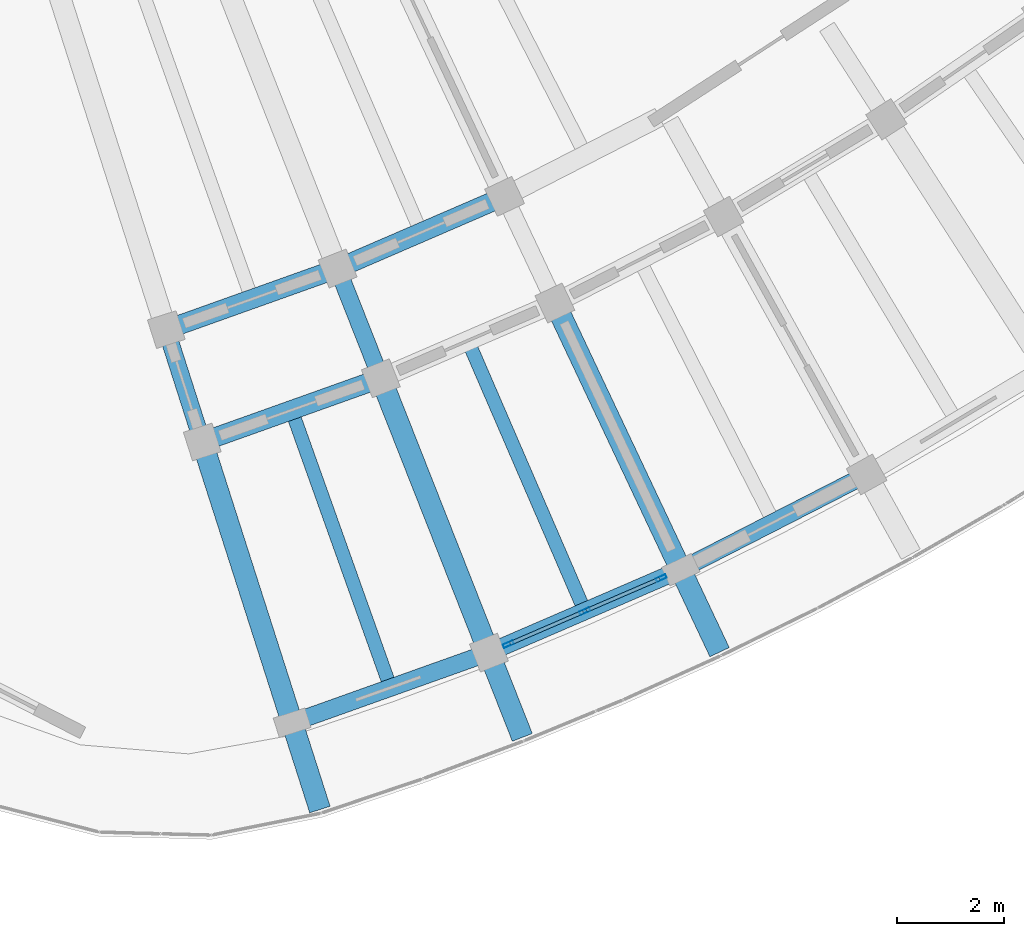
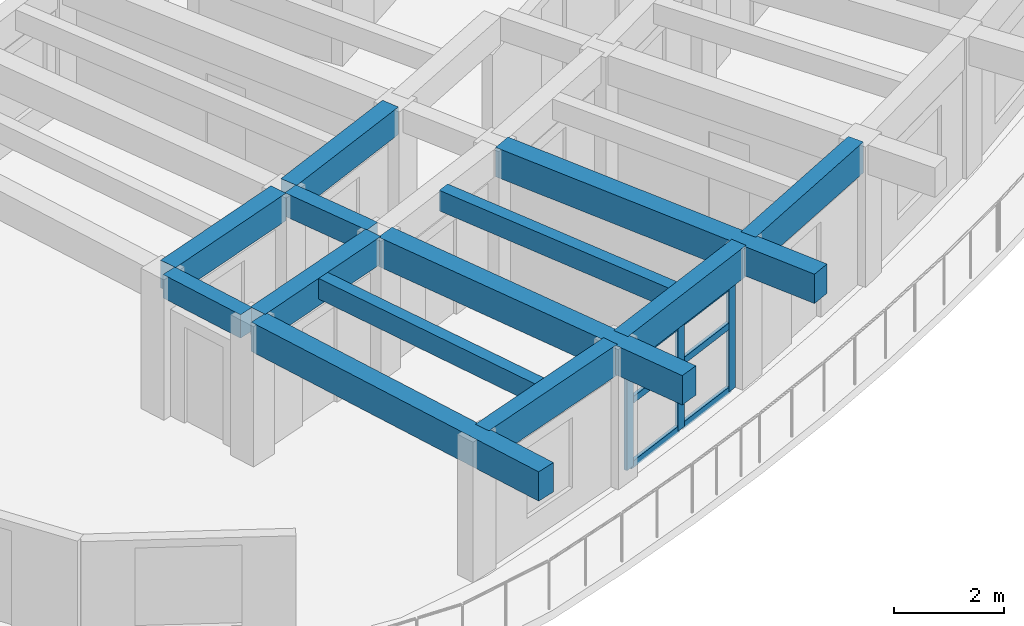
# One storey, part 18 of 81: 13 beams, 9 members, 1 element without a shape of its own.
"""IFC4 building model written with IfcOpenShell, lengths in metres."""

from ifc_helpers import new_model, si_unit, direction, frame, origin, origin_2d, place, context, subcontext, project, spatial, rectangle, hollow_rectangle, extrude, material, material_profile, profile_set, type_object, element, aggregate, save


model = new_model("IFC4")

# Units and contexts
model_context = context("Model", 3, precision=1e-05, world=origin(), true_north=direction((0.0, 1.0)))
body_context = subcontext(model_context, "Body", "Model", "MODEL_VIEW")
ifc_project = project(units=[si_unit("LENGTHUNIT", "METRE"), si_unit("AREAUNIT", "SQUARE_METRE"), si_unit("VOLUMEUNIT", "CUBIC_METRE"), si_unit("PLANEANGLEUNIT", "RADIAN"), si_unit("MASSUNIT", "GRAM", prefix="KILO")], contexts=[model_context])

# Site, building, storey
site_placement = place(None, origin())
site = spatial("IfcSite", under=ifc_project, at=site_placement, CompositionType="ELEMENT")
building_placement = place(site_placement, origin())
building = spatial("IfcBuilding", under=site, at=building_placement, Name="Tanwirah Colonnade Gardens", CompositionType="ELEMENT")
storey_placement = place(building_placement, frame((0.0, 0.0, 18.919921875)))
storey = spatial("IfcBuildingStorey", under=building, at=storey_placement, Name="L05", CompositionType="ELEMENT", Elevation=18.919921875)

# Beams
ifc_material_1 = material(Name="Precast concrete C40/50", Category="concrete")
ifc_material_profile_1 = material_profile(ifc_material_1, rectangle(XDim=0.360107421875, YDim=0.610107421875, at=origin_2d()), Name="PC-BM 360x610")
ifc_profile_set_1 = profile_set([ifc_material_profile_1], Name="Precast concrete C40/50")
beam_type_1 = type_object("IfcBeamType", Name="BM-PC300", PredefinedType="BEAM", material=ifc_profile_set_1)
beam_1_placement = place(storey_placement, frame((136.948486328125, 15.168701171875, 2.80517578125), z_axis=(0.941911444877, 0.335861325564, 0.0), x_axis=(-0.335861325564, 0.941911444877, 0.0)))
element("IfcBeam", 1, at=beam_1_placement, inside=storey, type_object=beam_type_1, Name="Block D L05 Circumferential Beam 1-R1", PredefinedType="BEAM", context=body_context, shape_type="SweptSolid", body=[
    extrude(rectangle(XDim=0.360107421875, YDim=0.610107421875, at=origin_2d()), origin(), (0.0, 0.0, 1.0), 3.093017578125),
])
beam_2_placement = place(storey_placement, frame((137.619140625, 13.073486328125, 2.80517578125), z_axis=(0.941917534978, 0.335844245597, 0.0), x_axis=(-0.335844245597, 0.941917534978, 0.0)))
element("IfcBeam", 2, at=beam_2_placement, inside=storey, type_object=beam_type_1, Name="Block D L05 Circumferential Beam 1-R2", PredefinedType="BEAM", context=body_context, shape_type="SweptSolid", body=[
    extrude(rectangle(XDim=0.360107421875, YDim=0.610107421875, at=origin_2d()), origin(), (0.0, 0.0, 1.0), 3.237060546875),
])
beam_3_placement = place(storey_placement, frame((140.140869140625, 16.3173828125, 2.80517578125), z_axis=(0.917936292782, 0.396727819032, 0.0), x_axis=(-0.396727819032, 0.917936292782, 0.0)))
element("IfcBeam", 3, at=beam_3_placement, inside=storey, type_object=beam_type_1, Name="Block D L05 Circumferential Beam 2-R1", PredefinedType="BEAM", context=body_context, shape_type="SweptSolid", body=[
    extrude(rectangle(XDim=0.360107421875, YDim=0.610107421875, at=origin_2d()), origin(), (0.0, 0.0, 1.0), 3.093017578125),
])
ifc_material_profile_2 = material_profile(ifc_material_1, rectangle(XDim=0.320068359375, YDim=0.52001953125, at=origin_2d()), Name="PC-BM 320x520")
ifc_profile_set_2 = profile_set([ifc_material_profile_2], Name="Precast concrete C40/50")
beam_type_2 = type_object("IfcBeamType", Name="BM-PC320", PredefinedType="BEAM", material=ifc_profile_set_2)
beam_4_placement = place(storey_placement, frame((136.85302734375, 14.975341796875, 2.85009765625), z_axis=(0.304794376797, -0.952418179096, 0.0), x_axis=(0.952418179096, 0.304794376797, 0.0)))
element("IfcBeam", 4, at=beam_4_placement, inside=storey, type_object=beam_type_2, Name="Block D L05 Corridor Tie Beam 1", PredefinedType="BEAM", context=body_context, shape_type="SweptSolid", body=[
    extrude(rectangle(XDim=0.320068359375, YDim=0.52001953125, at=origin_2d()), origin(), (0.0, 0.0, 1.0), 1.89990234375),
])
beam_5_placement = place(storey_placement, frame((140.05810546875, 16.1181640625, 2.85009765625), z_axis=(0.366511033969, -0.930413704746, 0.0), x_axis=(0.930413704746, 0.366511033969, 0.0)))
element("IfcBeam", 5, at=beam_5_placement, inside=storey, type_object=beam_type_2, Name="Block D L05 Corridor Tie Beam 2", PredefinedType="BEAM", context=body_context, shape_type="SweptSolid", body=[
    extrude(rectangle(XDim=0.320068359375, YDim=0.52001953125, at=origin_2d()), origin(), (0.0, 0.0, 1.0), 1.899658203125),
])
ifc_material_2 = material(Name="Precast concrete C45/55", Category="concrete")
ifc_material_profile_3 = material_profile(ifc_material_2, rectangle(XDim=0.39990234375, YDim=0.64990234375, at=origin_2d()), Name="PC-BM 400x650")
ifc_profile_set_3 = profile_set([ifc_material_profile_3], Name="Precast concrete C45/55")
beam_type_3 = type_object("IfcBeamType", Name="BM-PC400", PredefinedType="BEAM", material=ifc_profile_set_3)
for number, where, z_axis, x_axis, name in (
    (6, (137.523681640625, 12.880126953125, 2.78515625), (0.304849862001, -0.952400420851, 0.0), (0.952400420851, 0.304849862001, 0.0), "Block D L05 Outer Radial Precast Girder 1"),
    (7, (140.8642578125, 14.0712890625, 2.78515625), (0.366525426804, -0.930408034953, 0.0), (0.930408034953, 0.366525426804, 0.0), "Block D L05 Outer Radial Precast Girder 2"),
    (8, (144.1201171875, 15.478515625, 2.78515625), (0.426567365945, -0.904455793453, 0.0), (0.904455793453, 0.426567365945, 0.0), "Block D L05 Outer Radial Precast Girder 3"),
):
    element("IfcBeam", number, at=place(storey_placement, frame(where, z_axis=z_axis, x_axis=x_axis)), inside=storey, type_object=beam_type_3, Name=name, PredefinedType="BEAM", context=body_context, shape_type="SweptSolid", body=[
        extrude(rectangle(XDim=0.39990234375, YDim=0.64990234375, at=origin_2d()), origin(), (0.0, 0.0, 1.0), 7.050048828125),
    ])

# Curtain wall, members
ifc_material_3 = material(Name="Bronze-anodised aluminium and solar-control low-E glass", Category="aluminium")
curtain_wall_type = type_object("IfcCurtainWallType", Name="CW-LOB", PredefinedType="NOTDEFINED", material=ifc_material_3)
curtain_wall_placement = place(storey_placement, origin())
curtain_wall = element("IfcCurtainWall", 9, at=curtain_wall_placement, inside=storey, type_object=curtain_wall_type, Name="Curtain Wall CW-D-L05-OUT-02", PredefinedType="NOTDEFINED")
ifc_material_4 = material(Name="Bronze-anodised aluminium", Category="aluminium")
ifc_material_profile_4 = material_profile(ifc_material_4, hollow_rectangle(XDim=0.070068359375, YDim=0.199951171875, WallThickness=0.00390625, at=origin_2d()), Name="CW-MUL 70x200x4")
ifc_profile_set_4 = profile_set([ifc_material_profile_4], Name="Bronze-anodised aluminium")
member_type_1 = type_object("IfcMemberType", Name="CWM-70x200", PredefinedType="MULLION", material=ifc_profile_set_4)
member_1_placement = place(storey_placement, frame((143.187744140625, 9.250244140625, 0.0), z_axis=(0.0, 0.0, 1.0), x_axis=(-0.396749236313, 0.917927036036, 0.0)))
member_1 = element("IfcMember", 10, at=member_1_placement, type_object=member_type_1, Name="CW-LOB mullion 1", PredefinedType="MULLION", context=body_context, shape_type="SweptSolid", body=[
    extrude(hollow_rectangle(XDim=0.070068359375, YDim=0.199951171875, WallThickness=0.00390625, at=origin_2d()), origin(), (0.0, 0.0, 1.0), 2.35498046875),
])
member_2_placement = place(storey_placement, frame((144.61376953125, 9.86669921875, 0.0), z_axis=(0.0, 0.0, 1.0), x_axis=(-0.396749236313, 0.917927036036, 0.0)))
member_2 = element("IfcMember", 11, at=member_2_placement, type_object=member_type_1, Name="CW-LOB mullion 2", PredefinedType="MULLION", context=body_context, shape_type="SweptSolid", body=[
    extrude(hollow_rectangle(XDim=0.070068359375, YDim=0.199951171875, WallThickness=0.00390625, at=origin_2d()), origin(), (0.0, 0.0, 1.0), 2.35498046875),
])
member_3_placement = place(storey_placement, frame((146.03955078125, 10.48291015625, 0.0), z_axis=(0.0, 0.0, 1.0), x_axis=(-0.396749236313, 0.917927036036, 0.0)))
member_3 = element("IfcMember", 12, at=member_3_placement, type_object=member_type_1, Name="CW-LOB mullion 3", PredefinedType="MULLION", context=body_context, shape_type="SweptSolid", body=[
    extrude(hollow_rectangle(XDim=0.070068359375, YDim=0.199951171875, WallThickness=0.00390625, at=origin_2d()), origin(), (0.0, 0.0, 1.0), 2.35498046875),
])
ifc_material_profile_5 = material_profile(ifc_material_4, hollow_rectangle(XDim=0.070068359375, YDim=0.14990234375, WallThickness=0.00390625, at=origin_2d()), Name="CW-TRN 70x150x4")
ifc_profile_set_5 = profile_set([ifc_material_profile_5], Name="Bronze-anodised aluminium")
member_type_2 = type_object("IfcMemberType", Name="CWT-70x150", PredefinedType="USERDEFINED", material=ifc_profile_set_5)
member_4_placement = place(storey_placement, frame((143.219970703125, 9.26416015625, 0.03515625), z_axis=(0.917897544718, 0.396817461057, 0.0), x_axis=(-0.396817461057, 0.917897544718, 0.0)))
member_4 = element("IfcMember", 13, at=member_4_placement, type_object=member_type_2, Name="CW-LOB transom 1.1", ObjectType="TRANSOM", PredefinedType="USERDEFINED", context=body_context, shape_type="SweptSolid", body=[
    extrude(hollow_rectangle(XDim=0.070068359375, YDim=0.14990234375, WallThickness=0.00390625, at=origin_2d()), origin(), (0.0, 0.0, 1.0), 1.4833984375),
])
member_5_placement = place(storey_placement, frame((143.219970703125, 9.26416015625, 1.460205078125), z_axis=(0.917897544718, 0.396817461057, 0.0), x_axis=(-0.396817461057, 0.917897544718, 0.0)))
member_5 = element("IfcMember", 14, at=member_5_placement, type_object=member_type_2, Name="CW-LOB transom 1.2", ObjectType="TRANSOM", PredefinedType="USERDEFINED", context=body_context, shape_type="SweptSolid", body=[
    extrude(hollow_rectangle(XDim=0.070068359375, YDim=0.14990234375, WallThickness=0.00390625, at=origin_2d()), origin(), (0.0, 0.0, 1.0), 1.4833984375),
])
member_6_placement = place(storey_placement, frame((143.219970703125, 9.26416015625, 2.320068359375), z_axis=(0.917897544718, 0.396817461057, 0.0), x_axis=(-0.396817461057, 0.917897544718, 0.0)))
member_6 = element("IfcMember", 15, at=member_6_placement, type_object=member_type_2, Name="CW-LOB transom 1.3", ObjectType="TRANSOM", PredefinedType="USERDEFINED", context=body_context, shape_type="SweptSolid", body=[
    extrude(hollow_rectangle(XDim=0.070068359375, YDim=0.14990234375, WallThickness=0.00390625, at=origin_2d()), origin(), (0.0, 0.0, 1.0), 1.4833984375),
])
member_7_placement = place(storey_placement, frame((144.645751953125, 9.880615234375, 0.03515625), z_axis=(0.917983380825, 0.396618850446, 0.0), x_axis=(-0.396618850446, 0.917983380825, 0.0)))
member_7 = element("IfcMember", 16, at=member_7_placement, type_object=member_type_2, Name="CW-LOB transom 2.1", ObjectType="TRANSOM", PredefinedType="USERDEFINED", context=body_context, shape_type="SweptSolid", body=[
    extrude(hollow_rectangle(XDim=0.070068359375, YDim=0.14990234375, WallThickness=0.00390625, at=origin_2d()), origin(), (0.0, 0.0, 1.0), 1.4833984375),
])
member_8_placement = place(storey_placement, frame((144.645751953125, 9.880615234375, 1.460205078125), z_axis=(0.917983380825, 0.396618850446, 0.0), x_axis=(-0.396618850446, 0.917983380825, 0.0)))
member_8 = element("IfcMember", 17, at=member_8_placement, type_object=member_type_2, Name="CW-LOB transom 2.2", ObjectType="TRANSOM", PredefinedType="USERDEFINED", context=body_context, shape_type="SweptSolid", body=[
    extrude(hollow_rectangle(XDim=0.070068359375, YDim=0.14990234375, WallThickness=0.00390625, at=origin_2d()), origin(), (0.0, 0.0, 1.0), 1.4833984375),
])
member_9_placement = place(storey_placement, frame((144.645751953125, 9.880615234375, 2.320068359375), z_axis=(0.917983380825, 0.396618850446, 0.0), x_axis=(-0.396618850446, 0.917983380825, 0.0)))
member_9 = element("IfcMember", 18, at=member_9_placement, type_object=member_type_2, Name="CW-LOB transom 2.3", ObjectType="TRANSOM", PredefinedType="USERDEFINED", context=body_context, shape_type="SweptSolid", body=[
    extrude(hollow_rectangle(XDim=0.070068359375, YDim=0.14990234375, WallThickness=0.00390625, at=origin_2d()), origin(), (0.0, 0.0, 1.0), 1.4833984375),
])
aggregate(curtain_wall, [member_1, member_2, member_3, member_4, member_5, member_6, member_7, member_8, member_9])

# Beams
ifc_material_profile_6 = material_profile(ifc_material_1, rectangle(XDim=0.2548828125, YDim=0.455078125, at=origin_2d()), Name="PC-JST 255x455")
ifc_profile_set_6 = profile_set([ifc_material_profile_6], Name="Precast concrete C40/50")
beam_type_4 = type_object("IfcBeamType", Name="JST-PC240", PredefinedType="JOIST", material=ifc_profile_set_6)
for number, where, z_axis, x_axis, name in (
    (19, (139.193603515625, 13.4765625, 2.882568359375), (0.335862957845, -0.941910862846, 0.0), (0.941910862846, 0.335862957845, 0.0), "Block D L05 Precast Floor Joist 1"),
    (20, (142.49169921875, 14.77587890625, 2.882568359375), (0.396746282, -0.917928312952, 0.0), (0.917928312952, 0.396746282, 0.0), "Block D L05 Precast Floor Joist 2"),
):
    element("IfcBeam", number, at=place(storey_placement, frame(where, z_axis=z_axis, x_axis=x_axis)), inside=storey, type_object=beam_type_4, Name=name, PredefinedType="JOIST", context=body_context, shape_type="SweptSolid", body=[
        extrude(rectangle(XDim=0.2548828125, YDim=0.455078125, at=origin_2d()), origin(), (0.0, 0.0, 1.0), 5.260009765625),
    ])
ifc_material_profile_7 = material_profile(ifc_material_1, rectangle(XDim=0.324951171875, YDim=0.68505859375, at=origin_2d()), Name="PC-SP 325x685")
ifc_profile_set_7 = profile_set([ifc_material_profile_7], Name="Precast concrete C40/50")
beam_type_5 = type_object("IfcBeamType", Name="SP-PC260", PredefinedType="SPANDREL", material=ifc_profile_set_7)
beam_6_placement = place(storey_placement, frame((139.2958984375, 7.835205078125, 2.767578125), z_axis=(0.941915315404, 0.335850470607, 0.0), x_axis=(-0.335850470607, 0.941915315404, 0.0)))
element("IfcBeam", 21, at=beam_6_placement, inside=storey, type_object=beam_type_5, Name="Block D L05 Circumferential Beam 1-R3", PredefinedType="SPANDREL", context=body_context, shape_type="SweptSolid", body=[
    extrude(rectangle(XDim=0.324951171875, YDim=0.68505859375, at=origin_2d()), origin(), (0.0, 0.0, 1.0), 3.596923828125),
])
for number, where, z_axis, x_axis, name in (
    (22, (142.962890625, 9.153076171875, 2.767578125), (0.917925861765, 0.396751953118, 0.0), (-0.396751953118, 0.917925861765, 0.0), "Block D L05 Circumferential Beam 2-R3"),
    (23, (146.53564453125, 10.7080078125, 2.767578125), (0.890013134589, 0.455934885985, 0.0), (-0.455934885985, 0.890013134589, 0.0), "Block D L05 Circumferential Beam 3-R3"),
):
    element("IfcBeam", number, at=place(storey_placement, frame(where, z_axis=z_axis, x_axis=x_axis)), inside=storey, type_object=beam_type_5, Name=name, PredefinedType="SPANDREL", context=body_context, shape_type="SweptSolid", body=[
        extrude(rectangle(XDim=0.324951171875, YDim=0.68505859375, at=origin_2d()), origin(), (0.0, 0.0, 1.0), 3.5966796875),
    ])

save(model, "model.ifc")
